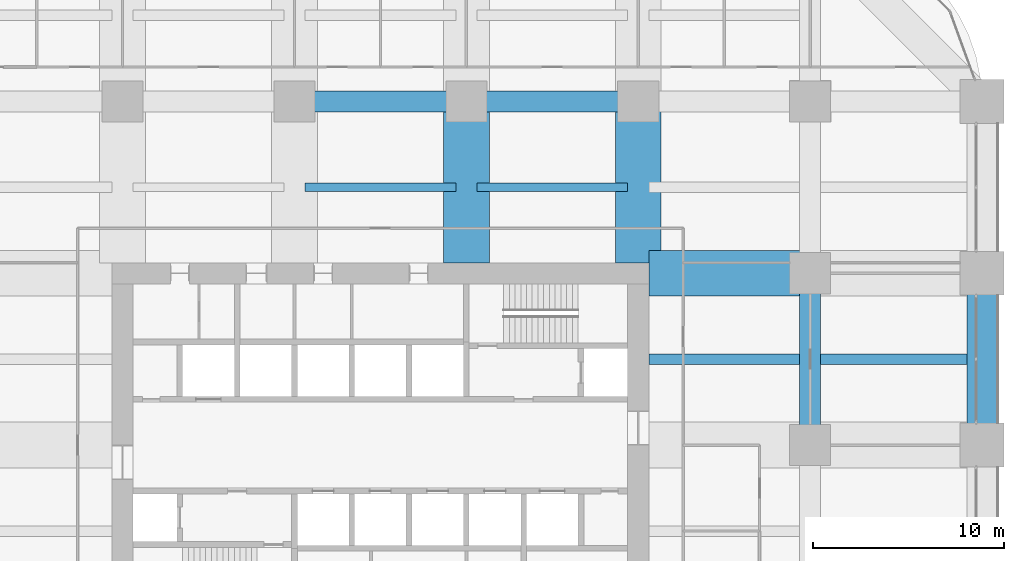
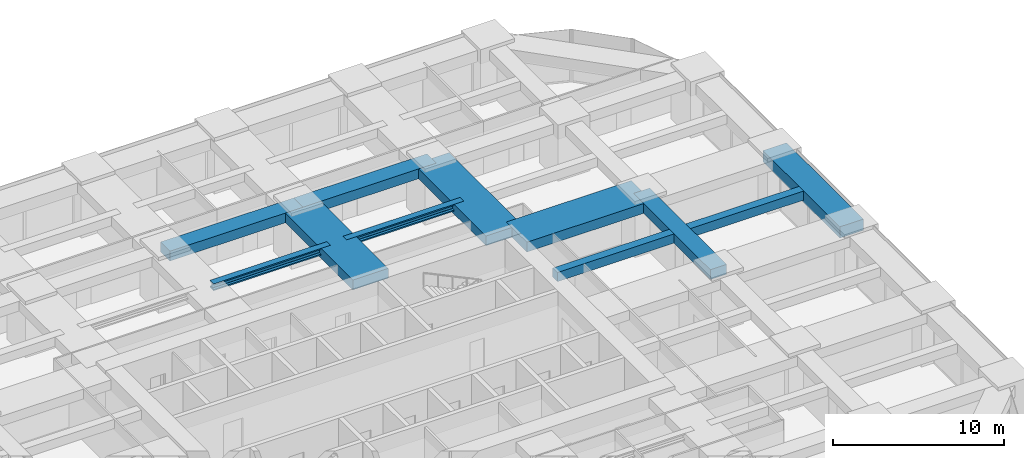
# One storey, part 30 of 43: 11 beams.
"""IFC4 building model written with IfcOpenShell, lengths in metres."""

from ifc_helpers import new_model, si_unit, direction, frame, origin, origin_2d, place, context, subcontext, project, spatial, rectangle, i_section, extrude, material, material_profile, profile_set, type_object, element, save


model = new_model("IFC4")

# Units and contexts
model_context = context("Model", 3, precision=1e-05, world=origin(), true_north=direction((0.0, 1.0)))
body_context = subcontext(model_context, "Body", "Model", "MODEL_VIEW")
ifc_project = project(units=[si_unit("LENGTHUNIT", "METRE"), si_unit("AREAUNIT", "SQUARE_METRE"), si_unit("VOLUMEUNIT", "CUBIC_METRE"), si_unit("PLANEANGLEUNIT", "RADIAN"), si_unit("MASSUNIT", "GRAM", prefix="KILO")], contexts=[model_context])

# Site, building, storey
site_placement = place(None, origin())
site = spatial("IfcSite", under=ifc_project, at=site_placement, CompositionType="ELEMENT")
building_placement = place(site_placement, origin())
building = spatial("IfcBuilding", under=site, at=building_placement, Name="Zorevar Civic Tower", CompositionType="ELEMENT")
storey_placement = place(building_placement, frame((0.0, 0.0, 67.800048828125)))
storey = spatial("IfcBuildingStorey", under=building, at=storey_placement, Name="L16", CompositionType="ELEMENT", Elevation=67.800048828125)

# Beams
ifc_material_1 = material(Name="Concrete C50/60", Category="concrete")
ifc_material_profile_1 = material_profile(ifc_material_1, rectangle(XDim=1.10009765625, YDim=0.699951171875, at=origin_2d()), Name="RC 1100x700")
ifc_profile_set_1 = profile_set([ifc_material_profile_1], Name="Concrete C50/60")
beam_type_1 = type_object("IfcBeamType", Name="Beam RC 1100x700", PredefinedType="BEAM", material=ifc_profile_set_1)
for number, where, z_axis, x_axis, name in (
    (1, (27.0, 45.0, 3.39990234375), (1.0, 0.0, 0.0), (0.0, 1.0, 0.0), "Girder L17"),
    (2, (36.0, 45.0, 3.39990234375), (1.0, 0.0, 0.0), (0.0, 1.0, 0.0), "Girder L17"),
    (3, (54.0, 27.0, 3.39990234375), (0.0, 1.0, 0.0), (-1.0, 0.0, 0.0), "Girder L17"),
):
    element("IfcBeam", number, at=place(storey_placement, frame(where, z_axis=z_axis, x_axis=x_axis)), inside=storey, type_object=beam_type_1, Name=name, PredefinedType="BEAM", context=body_context, shape_type="SweptSolid", body=[
        extrude(rectangle(XDim=1.10009765625, YDim=0.699951171875, at=origin_2d()), origin(), (0.0, 0.0, 1.0), 9.0),
    ])
ifc_material_2 = material(Name="Concrete C50/60", Category="concrete")
ifc_material_profile_2 = material_profile(ifc_material_2, rectangle(XDim=2.39990234375, YDim=0.699951171875, at=origin_2d()), Name="RC 2400x700")
ifc_profile_set_2 = profile_set([ifc_material_profile_2], Name="Concrete C50/60")
beam_type_2 = type_object("IfcBeamType", Name="Beam RC 2400x700", PredefinedType="BEAM", material=ifc_profile_set_2)
for number, where, z_axis, x_axis, name in (
    (4, (45.550048828125, 36.0, 3.39990234375), (1.0, 0.0, 0.0), (0.0, 1.0, 0.0), "Girder L17"),
    (5, (36.0, 36.550048828125, 3.39990234375), (0.0, 1.0, 0.0), (-1.0, 0.0, 0.0), "Girder L17"),
    (6, (45.0, 36.550048828125, 3.39990234375), (0.0, 1.0, 0.0), (-1.0, 0.0, 0.0), "Girder L17"),
):
    element("IfcBeam", number, at=place(storey_placement, frame(where, z_axis=z_axis, x_axis=x_axis)), inside=storey, type_object=beam_type_2, Name=name, PredefinedType="BEAM", context=body_context, shape_type="SweptSolid", body=[
        extrude(rectangle(XDim=2.39990234375, YDim=0.699951171875, at=origin_2d()), origin(), (0.0, 0.0, 1.0), 8.449951171875),
    ])
ifc_material_3 = material(Name="Concrete C50/60", Category="concrete")
ifc_material_profile_3 = material_profile(ifc_material_3, rectangle(XDim=0.550048828125, YDim=0.64990234375, at=origin_2d()), Name="RC 550x650")
ifc_profile_set_3 = profile_set([ifc_material_profile_3], Name="Concrete C50/60")
beam_type_3 = type_object("IfcBeamType", Name="Beam RC 550x650", PredefinedType="BEAM", material=ifc_profile_set_3)
beam_1_placement = place(storey_placement, frame((45.550048828125, 31.5, 3.425048828125), z_axis=(1.0, 0.0, 0.0), x_axis=(0.0, 1.0, 0.0)))
element("IfcBeam", 7, at=beam_1_placement, inside=storey, type_object=beam_type_3, Name="Secondary beam L17", PredefinedType="BEAM", context=body_context, shape_type="SweptSolid", body=[
    extrude(rectangle(XDim=0.550048828125, YDim=0.64990234375, at=origin_2d()), origin(), (0.0, 0.0, 1.0), 7.89990234375),
])
beam_2_placement = place(storey_placement, frame((54.550048828125, 31.5, 3.425048828125), z_axis=(1.0, 0.0, 0.0), x_axis=(0.0, 1.0, 0.0)))
element("IfcBeam", 8, at=beam_2_placement, inside=storey, type_object=beam_type_3, Name="Secondary beam L17", PredefinedType="BEAM", context=body_context, shape_type="SweptSolid", body=[
    extrude(rectangle(XDim=0.550048828125, YDim=0.64990234375, at=origin_2d()), origin(), (0.0, 0.0, 1.0), 7.64990234375),
])
ifc_material_4 = material(Name="Steel S460M (HISTAR 460)", Category="steel")
ifc_material_profile_4 = material_profile(ifc_material_4, i_section(OverallWidth=0.431884765625, OverallDepth=0.498046875, WebThickness=0.0556640625, FlangeThickness=0.0888671875, FilletRadius=0.014892578125, at=origin_2d()), Name="HD 400x744")
ifc_profile_set_4 = profile_set([ifc_material_profile_4], Name="Steel S460M (HISTAR 460)")
beam_type_4 = type_object("IfcBeamType", Name="Core bay beam HD 400x744", PredefinedType="BEAM", material=ifc_profile_set_4)
for number, where, z_axis, x_axis, name in (
    (9, (27.550048828125, 40.5, 3.5009765625), (1.0, 0.0, 0.0), (0.0, 1.0, 0.0), "Secondary beam L17"),
    (10, (36.550048828125, 40.5, 3.5009765625), (1.0, 0.0, 0.0), (0.0, 1.0, 0.0), "Secondary beam L17"),
):
    element("IfcBeam", number, at=place(storey_placement, frame(where, z_axis=z_axis, x_axis=x_axis)), inside=storey, type_object=beam_type_4, Name=name, PredefinedType="BEAM", context=body_context, shape_type="SweptSolid", body=[
        extrude(i_section(OverallWidth=0.431884765625, OverallDepth=0.498046875, WebThickness=0.0556640625, FlangeThickness=0.0888671875, FilletRadius=0.014892578125, at=origin_2d()), origin(), (0.0, 0.0, 1.0), 7.89990234375),
    ])
ifc_material_5 = material(Name="Concrete C50/60", Category="concrete")
ifc_material_profile_5 = material_profile(ifc_material_5, rectangle(XDim=1.60009765625, YDim=0.800048828125, at=origin_2d()), Name="RC 1600x800")
ifc_profile_set_5 = profile_set([ifc_material_profile_5], Name="Concrete C50/60")
beam_type_5 = type_object("IfcBeamType", Name="Edge beam RC 1600x800", PredefinedType="SPANDREL", material=ifc_profile_set_5)
beam_3_placement = place(storey_placement, frame((63.0, 27.0, 3.349853515625), z_axis=(0.0, 1.0, 0.0), x_axis=(-1.0, 0.0, 0.0)))
element("IfcBeam", 11, at=beam_3_placement, inside=storey, type_object=beam_type_5, Name="Edge beam L17", PredefinedType="SPANDREL", context=body_context, shape_type="SweptSolid", body=[
    extrude(rectangle(XDim=1.60009765625, YDim=0.800048828125, at=origin_2d()), origin(), (0.0, 0.0, 1.0), 9.0),
])

save(model, "model.ifc")
